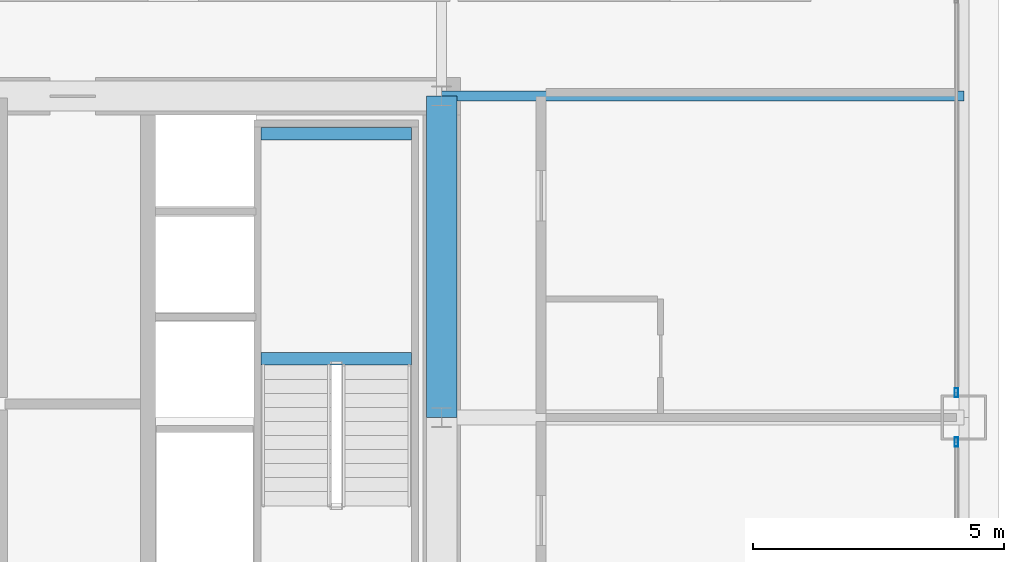
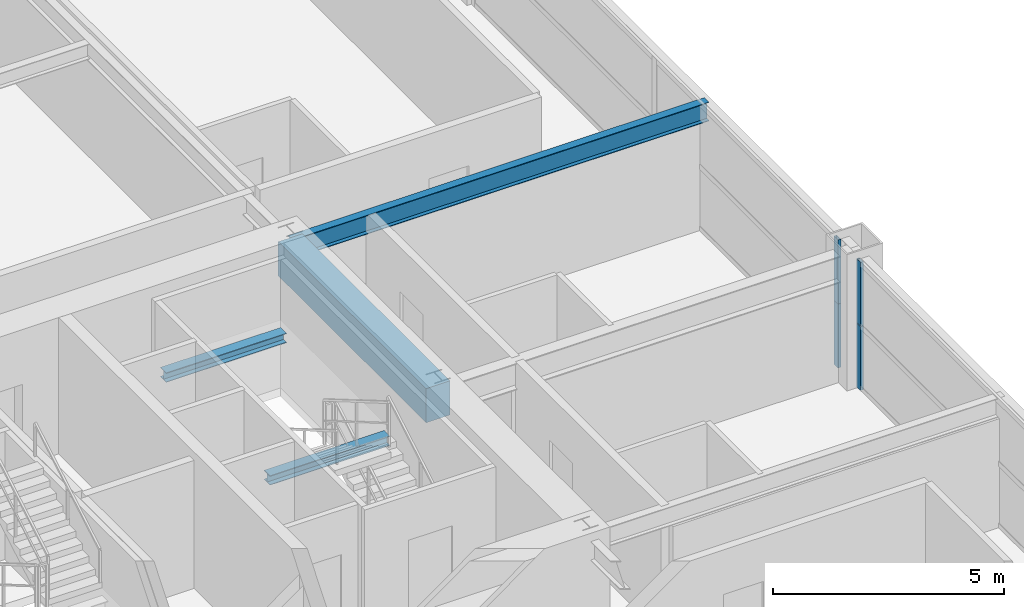
# One storey, part 20 of 39: 4 beams, 4 members, 2 elements without a shape of their own.
"""IFC4 building model written with IfcOpenShell, lengths in metres."""

from ifc_helpers import new_model, si_unit, direction, frame, origin, origin_2d, place, context, subcontext, project, spatial, rectangle, hollow_rectangle, i_section, extrude, source, transform, mapped, material, layer, layer_set, material_profile, profile_set, type_object, element, aggregate, save


model = new_model("IFC4")

# Units and contexts
model_context = context("Model", 3, precision=1e-05, world=origin(), true_north=direction((0.0, 1.0)))
body_context = subcontext(model_context, "Body", "Model", "MODEL_VIEW")
ifc_project = project(units=[si_unit("LENGTHUNIT", "METRE"), si_unit("AREAUNIT", "SQUARE_METRE"), si_unit("VOLUMEUNIT", "CUBIC_METRE"), si_unit("PLANEANGLEUNIT", "RADIAN"), si_unit("MASSUNIT", "GRAM", prefix="KILO"), si_unit("THERMODYNAMICTEMPERATUREUNIT", "KELVIN"), si_unit("POWERUNIT", "WATT")], contexts=[model_context])

# Site, building, storey
site_placement = place(None, origin())
site = spatial("IfcSite", under=ifc_project, at=site_placement, CompositionType="ELEMENT")
building_placement = place(site_placement, origin())
building = spatial("IfcBuilding", under=site, at=building_placement, Name="Yuzanri Waterfront Tower", CompositionType="ELEMENT")
storey_placement = place(building_placement, frame((0.0, 0.0, 141.60009765625)))
storey = spatial("IfcBuildingStorey", under=building, at=storey_placement, Name="L37", CompositionType="ELEMENT", Elevation=141.60009765625)

# Beams
ifc_material_1 = material(Name="Concrete C60", Category="concrete")
ifc_material_profile_1 = material_profile(ifc_material_1, rectangle(XDim=0.60009765625, YDim=0.89990234375, at=origin_2d()), Name="RC 600x900")
ifc_profile_set_1 = profile_set([ifc_material_profile_1], Name="Concrete C60")
beam_type_1 = type_object("IfcBeamType", Name="Core Coupling Lintel Concrete C60 600x900", PredefinedType="LINTEL", material=ifc_profile_set_1)
shared_shape_1 = source(origin(), body_context, "Body", "SweptSolid", [
    extrude(rectangle(XDim=0.60009765625, YDim=0.89990234375, at=origin_2d()), origin(), (0.0, 0.0, 1.0), 6.39990234375),
])
beam_1_placement = place(storey_placement, frame((50.199951171875, 25.800048828125, 2.929931640625), z_axis=(0.0, 1.0, 0.0), x_axis=(-1.0, 0.0, 0.0)))
element("IfcBeam", 1, at=beam_1_placement, inside=storey, type_object=beam_type_1, Name="L37 Core Tie Beam CE2", PredefinedType="LINTEL", context=body_context, shape_type="MappedRepresentation", body=[
    mapped(shared_shape_1, transform((0.0, 0.0, 0.0), scale=1.0)),
])
ifc_material_2 = material(Name="Steel Q355B", Category="steel")
ifc_material_profile_2 = material_profile(ifc_material_2, i_section(OverallWidth=0.199951171875, OverallDepth=0.5, WebThickness=0.010009765625, FlangeThickness=0.01611328125, at=origin_2d()), Name="HN 500x200x10x16")
ifc_profile_set_2 = profile_set([ifc_material_profile_2], Name="Steel Q355B")
beam_type_2 = type_object("IfcBeamType", Name="Secondary Floor Beam Q355B HN 500x200", PredefinedType="BEAM", material=ifc_profile_set_2)
shared_shape_2 = source(origin(), body_context, "Body", "SweptSolid", [
    extrude(i_section(OverallWidth=0.199951171875, OverallDepth=0.5, WebThickness=0.010009765625, FlangeThickness=0.01611328125, at=origin_2d()), origin(), (0.0, 0.0, 1.0), 10.400146484375),
])
beam_2_placement = place(storey_placement, frame((50.199951171875, 32.199951171875, 3.1298828125), z_axis=(1.0, 0.0, 0.0), x_axis=(0.0, 1.0, 0.0)))
element("IfcBeam", 2, at=beam_2_placement, inside=storey, type_object=beam_type_2, Name="L37 East-North Core Line Beam", PredefinedType="BEAM", context=body_context, shape_type="MappedRepresentation", body=[
    mapped(shared_shape_2, transform((0.0, 0.0, 0.0), scale=1.0)),
])

# Curtain wall, members
ifc_material_3 = material(Name="Anodized Architectural Bronze", Category="metal")
ifc_layer = layer(ifc_material_3, 0.159912109375)
ifc_layer_set = layer_set([ifc_layer], Name="Anodized Architectural Bronze")
curtain_wall_type = type_object("IfcCurtainWallType", Name="Anodized Bronze Hotel Upper-Tier Solar-Control Unitized Curtain Wall 7800", PredefinedType="NOTDEFINED", material=ifc_layer_set)
curtain_wall_1_placement = place(storey_placement, origin())
curtain_wall_1 = element("IfcCurtainWall", 3, at=curtain_wall_1_placement, inside=storey, type_object=curtain_wall_type, Name="L37 Curtain Wall CW-L37-EL", PredefinedType="NOTDEFINED")
ifc_material_4 = material(Name="Anodized Architectural Bronze", Category="metal")
ifc_material_profile_3 = material_profile(ifc_material_4, hollow_rectangle(XDim=0.070068359375, YDim=0.179931640625, WallThickness=0.00390625, at=origin_2d()), Name="CWM 70x180")
ifc_profile_set_3 = profile_set([ifc_material_profile_3], Name="Anodized Architectural Bronze")
member_type = type_object("IfcMemberType", Name="Anodized Bronze Standard Curtain-Wall Mullion 70x180", PredefinedType="MULLION", material=ifc_profile_set_3)
shared_shape_3 = source(origin(), body_context, "Body", "SweptSolid", [
    extrude(hollow_rectangle(XDim=0.070068359375, YDim=0.179931640625, WallThickness=0.00390625, at=origin_2d()), origin(), (0.0, 0.0, 1.0), 1.68798828125),
])
member_1_placement = place(storey_placement, frame((60.449951171875, 25.31005859375, 0.0), z_axis=(0.0, 0.0, 1.0), x_axis=(1.0, 0.0, 0.0)))
member_1 = element("IfcMember", 4, at=member_1_placement, type_object=member_type, Name="CW-L37-EL Lower Mullion 02", PredefinedType="MULLION", context=body_context, shape_type="MappedRepresentation", body=[
    mapped(shared_shape_3, transform((0.0, 0.0, 0.0), scale=1.0)),
])
member_2_placement = place(storey_placement, frame((60.449951171875, 25.31005859375, 1.69189453125), z_axis=(0.0, 0.0, 1.0), x_axis=(1.0, 0.0, 0.0)))
member_2 = element("IfcMember", 5, at=member_2_placement, type_object=member_type, Name="CW-L37-EL Upper Mullion 02", PredefinedType="MULLION", context=body_context, shape_type="MappedRepresentation", body=[
    mapped(shared_shape_3, transform((0.0, 0.0, 0.0), scale=1.0)),
])
aggregate(curtain_wall_1, [member_1, member_2])

curtain_wall_2_placement = place(storey_placement, origin())
curtain_wall_2 = element("IfcCurtainWall", 6, at=curtain_wall_2_placement, inside=storey, type_object=curtain_wall_type, Name="L37 Curtain Wall CW-L37-ER", PredefinedType="NOTDEFINED")
member_3_placement = place(storey_placement, frame((60.449951171875, 26.2900390625, 0.0), z_axis=(0.0, 0.0, 1.0), x_axis=(1.0, 0.0, 0.0)))
member_3 = element("IfcMember", 7, at=member_3_placement, type_object=member_type, Name="CW-L37-ER Lower Mullion 00", PredefinedType="MULLION", context=body_context, shape_type="MappedRepresentation", body=[
    mapped(shared_shape_3, transform((0.0, 0.0, 0.0), scale=1.0)),
])
member_4_placement = place(storey_placement, frame((60.449951171875, 26.2900390625, 1.69189453125), z_axis=(0.0, 0.0, 1.0), x_axis=(1.0, 0.0, 0.0)))
member_4 = element("IfcMember", 8, at=member_4_placement, type_object=member_type, Name="CW-L37-ER Upper Mullion 00", PredefinedType="MULLION", context=body_context, shape_type="MappedRepresentation", body=[
    mapped(shared_shape_3, transform((0.0, 0.0, 0.0), scale=1.0)),
])
aggregate(curtain_wall_2, [member_3, member_4])

# Beams
ifc_material_5 = material(Name="Steel Q355B", Category="steel")
ifc_material_profile_4 = material_profile(ifc_material_5, i_section(OverallWidth=0.25, OverallDepth=0.25, WebThickness=0.009033203125, FlangeThickness=0.013916015625, at=origin_2d()), Name="HW 250x250x9x14")
ifc_profile_set_4 = profile_set([ifc_material_profile_4], Name="Steel Q355B")
beam_type_3 = type_object("IfcBeamType", Name="Stair Landing Support Beam Q355B HW 250x250", PredefinedType="BEAM", material=ifc_profile_set_4)
shared_shape_4 = source(origin(), body_context, "Body", "SweptSolid", [
    extrude(i_section(OverallWidth=0.25, OverallDepth=0.25, WebThickness=0.009033203125, FlangeThickness=0.013916015625, at=origin_2d()), origin(), (0.0, 0.0, 1.0), 3.0),
])
for number, where, z_axis, x_axis, name in (
    (9, (46.60009765625, 26.969970703125, 1.474853515625), (1.0, 0.0, 0.0), (0.0, 1.0, 0.0), "L37 Stair Landing Support Beam ST-02-L37-L1-1"),
    (10, (46.60009765625, 31.449951171875, 1.474853515625), (1.0, 0.0, 0.0), (0.0, 1.0, 0.0), "L37 Stair Landing Support Beam ST-02-L37-L1-2"),
):
    element("IfcBeam", number, at=place(storey_placement, frame(where, z_axis=z_axis, x_axis=x_axis)), inside=storey, type_object=beam_type_3, Name=name, PredefinedType="BEAM", context=body_context, shape_type="MappedRepresentation", body=[
        mapped(shared_shape_4, transform((0.0, 0.0, 0.0), scale=1.0)),
    ])

save(model, "model.ifc")
